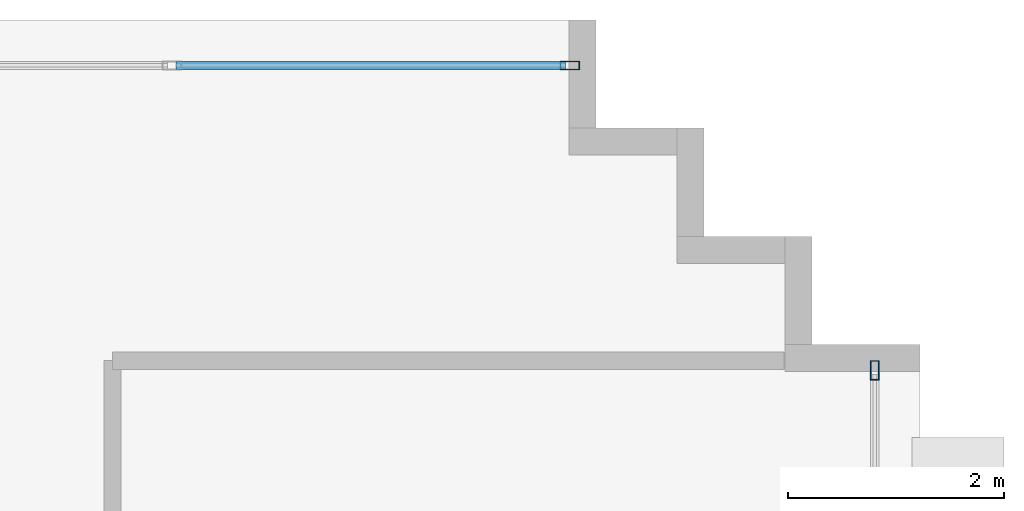
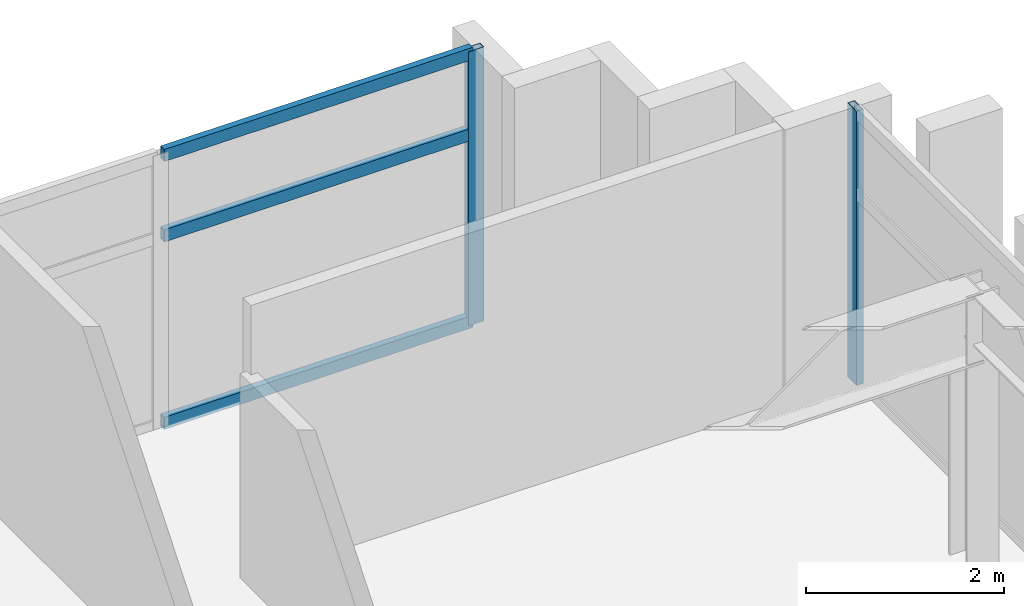
# One storey, part 10 of 15: 5 members, 2 elements without a shape of their own.
"""IFC4 building model written with IfcOpenShell, lengths in metres."""

from ifc_helpers import new_model, si_unit, direction, frame, origin, origin_2d, place, context, subcontext, project, spatial, hollow_rectangle, extrude, source, transform, mapped, material, layer, layer_set, material_profile, profile_set, type_object, element, aggregate, save


model = new_model("IFC4")

# Units and contexts
model_context = context("Model", 3, precision=1e-05, world=origin(), true_north=direction((0.0, 1.0)))
body_context = subcontext(model_context, "Body", "Model", "MODEL_VIEW")
ifc_project = project(units=[si_unit("LENGTHUNIT", "METRE"), si_unit("AREAUNIT", "SQUARE_METRE"), si_unit("VOLUMEUNIT", "CUBIC_METRE"), si_unit("PLANEANGLEUNIT", "RADIAN"), si_unit("MASSUNIT", "GRAM", prefix="KILO")], contexts=[model_context])

# Site, building, storey
site_placement = place(None, origin())
site = spatial("IfcSite", under=ifc_project, at=site_placement, CompositionType="ELEMENT")
building_placement = place(site_placement, origin())
building = spatial("IfcBuilding", under=site, at=building_placement, Name="Ocotamira Hotel", CompositionType="ELEMENT")
storey_placement = place(building_placement, frame((0.0, 0.0, 290.39990234375)))
storey = spatial("IfcBuildingStorey", under=building, at=storey_placement, Name="L74", CompositionType="ELEMENT", Elevation=290.39990234375)

# Curtain wall, member
ifc_material_1 = material(Name="Anodised pale-metal aluminium and solar glass", Category="aluminium")
ifc_layer = layer(ifc_material_1, 0.2099609375)
ifc_layer_set = layer_set([ifc_layer], Name="Anodised pale-metal aluminium and solar glass")
curtain_wall_type = type_object("IfcCurtainWallType", Name="CW-SYS7-PEAK", PredefinedType="NOTDEFINED", material=ifc_layer_set)
curtain_wall_1_placement = place(storey_placement, origin())
curtain_wall_1 = element("IfcCurtainWall", 1, at=curtain_wall_1_placement, inside=storey, type_object=curtain_wall_type, Name="L74 Curtain Wall CW-7 CW-L74-N", PredefinedType="NOTDEFINED")
ifc_material_2 = material(Name="Anodised pale-metal aluminium 6063-T6", Category="aluminium")
ifc_material_profile_1 = material_profile(ifc_material_2, hollow_rectangle(XDim=0.080078125, YDim=0.179931640625, WallThickness=0.006103515625, at=origin_2d()), Name="HSS180X80X6")
ifc_profile_set_1 = profile_set([ifc_material_profile_1], Name="Anodised pale-metal aluminium 6063-T6")
member_type_1 = type_object("IfcMemberType", Name="CWM-180X75", PredefinedType="MULLION", material=ifc_profile_set_1)
shared_shape_1 = source(origin(), body_context, "Body", "SweptSolid", [
    extrude(hollow_rectangle(XDim=0.080078125, YDim=0.179931640625, WallThickness=0.006103515625, at=origin_2d()), origin(), (0.0, 0.0, 1.0), 3.380126953125),
])
member_1_placement = place(storey_placement, frame((29.760009765625, 43.580078125, 0.0), z_axis=(0.0, 0.0, 1.0), x_axis=(0.0, 1.0, 0.0)))
member_1 = element("IfcMember", 2, at=member_1_placement, type_object=member_type_1, Name="CW-7 mullion 6", PredefinedType="MULLION", context=body_context, shape_type="MappedRepresentation", body=[
    mapped(shared_shape_1, transform((0.0, 0.0, 0.0), scale=1.0)),
])

curtain_wall_2_placement = place(storey_placement, origin())
curtain_wall_2 = element("IfcCurtainWall", 3, at=curtain_wall_2_placement, inside=storey, type_object=curtain_wall_type, Name="L74 Curtain Wall CW-7 CW-L74-E2", PredefinedType="NOTDEFINED")
member_2_placement = place(storey_placement, frame((32.580078125, 40.760009765625, 0.0), z_axis=(0.0, 0.0, 1.0), x_axis=(-1.0, 0.0, 0.0)))
member_2 = element("IfcMember", 4, at=member_2_placement, type_object=member_type_1, Name="CW-7 mullion 4", PredefinedType="MULLION", context=body_context, shape_type="MappedRepresentation", body=[
    mapped(shared_shape_1, transform((0.0, 0.0, 0.0), scale=1.0)),
])
aggregate(curtain_wall_2, [member_2])

# Member
ifc_material_profile_2 = material_profile(ifc_material_2, hollow_rectangle(XDim=0.074951171875, YDim=0.14990234375, WallThickness=0.006103515625, at=origin_2d()), Name="HSS150X75X6")
ifc_profile_set_2 = profile_set([ifc_material_profile_2], Name="Anodised pale-metal aluminium 6063-T6")
member_type_2 = type_object("IfcMemberType", Name="CWT-150X75", PredefinedType="USERDEFINED", material=ifc_profile_set_2)
shared_shape_2 = source(origin(), body_context, "Body", "SweptSolid", [
    extrude(hollow_rectangle(XDim=0.074951171875, YDim=0.14990234375, WallThickness=0.006103515625, at=origin_2d()), origin(), (0.0, 0.0, 1.0), 3.599853515625),
])
member_3_placement = place(storey_placement, frame((26.1201171875, 43.580078125, 0.03759765625), z_axis=(1.0, 0.0, 0.0), x_axis=(0.0, 1.0, 0.0)))
member_3 = element("IfcMember", 5, at=member_3_placement, type_object=member_type_2, Name="CW-7 transom 5.1", ObjectType="TRANSOM", PredefinedType="USERDEFINED", context=body_context, shape_type="MappedRepresentation", body=[
    mapped(shared_shape_2, transform((0.0, 0.0, 0.0), scale=1.0)),
])

member_4_placement = place(storey_placement, frame((26.1201171875, 43.580078125, 2.35009765625), z_axis=(1.0, 0.0, 0.0), x_axis=(0.0, 1.0, 0.0)))
member_4 = element("IfcMember", 6, at=member_4_placement, type_object=member_type_2, Name="CW-7 transom 5.2", ObjectType="TRANSOM", PredefinedType="USERDEFINED", context=body_context, shape_type="MappedRepresentation", body=[
    mapped(shared_shape_2, transform((0.0, 0.0, 0.0), scale=1.0)),
])

member_5_placement = place(storey_placement, frame((26.1201171875, 43.580078125, 3.342529296875), z_axis=(1.0, 0.0, 0.0), x_axis=(0.0, 1.0, 0.0)))
member_5 = element("IfcMember", 7, at=member_5_placement, type_object=member_type_2, Name="CW-7 transom 5.3", ObjectType="TRANSOM", PredefinedType="USERDEFINED", context=body_context, shape_type="MappedRepresentation", body=[
    mapped(shared_shape_2, transform((0.0, 0.0, 0.0), scale=1.0)),
])

aggregate(curtain_wall_1, [member_1, member_3, member_4, member_5])

save(model, "model.ifc")
